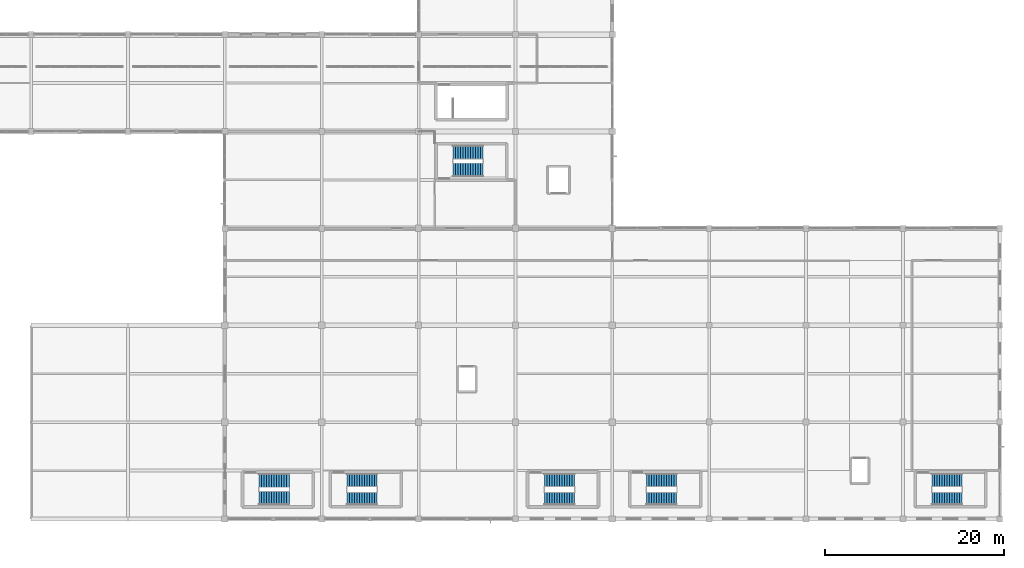
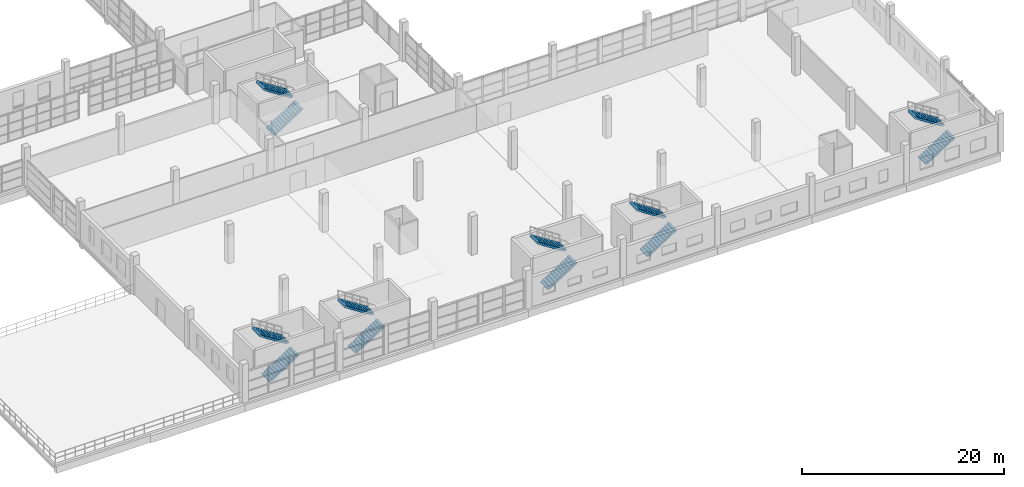
# One storey, part 120 of 142: 12 stair flights, 6 elements without a shape of their own.
"""IFC4 building model written with IfcOpenShell, lengths in metres."""

from ifc_helpers import new_model, si_unit, direction, frame, origin, place, context, subcontext, project, spatial, polyline, outline, extrude, material, type_object, element, aggregate, save


model = new_model("IFC4")

# Units and contexts
model_context = context("Model", 3, precision=1e-05, world=origin(), true_north=direction((0.0, 1.0)))
body_context = subcontext(model_context, "Body", "Model", "MODEL_VIEW")
ifc_project = project(units=[si_unit("LENGTHUNIT", "METRE"), si_unit("AREAUNIT", "SQUARE_METRE"), si_unit("VOLUMEUNIT", "CUBIC_METRE"), si_unit("PLANEANGLEUNIT", "RADIAN"), si_unit("MASSUNIT", "GRAM", prefix="KILO")], contexts=[model_context])

# Site, building, storey
site_placement = place(None, origin())
site = spatial("IfcSite", under=ifc_project, at=site_placement, CompositionType="ELEMENT")
building_placement = place(site_placement, origin())
building = spatial("IfcBuilding", under=site, at=building_placement, Name="Zwinboog Wholesale Market", CompositionType="ELEMENT")
storey_placement = place(building_placement, frame((0.0, 0.0, 5.39990234375)))
storey = spatial("IfcBuildingStorey", under=building, at=storey_placement, Name="L01", CompositionType="ELEMENT", Elevation=5.39990234375)

# Stair, stair flights
ifc_material = material(Name="Concrete C40/50", Category="concrete")
stair_type_1 = type_object("IfcStairType", Name="STT-DOG-145", PredefinedType="HALF_TURN_STAIR", material=ifc_material)
stair_1_placement = place(storey_placement, origin())
stair_1 = element("IfcStair", 1, at=stair_1_placement, inside=storey, type_object=stair_type_1, Name="Enclosed Escape Stair ST-08B", PredefinedType="HALF_TURN_STAIR")
stair_flight_type_1 = type_object("IfcStairFlightType", Name="SFT-145", PredefinedType="STRAIGHT", material=ifc_material)
stair_flight_1_placement = place(storey_placement, frame((208.419921875, 2.280029296875, 0.0), z_axis=(0.0, 0.0, 1.0), x_axis=(1.0, 0.0, 0.0)))
stair_flight_1 = element("IfcStairFlight", 2, at=stair_flight_1_placement, type_object=stair_flight_type_1, Name="ST-08B flight 1", NumberOfRisers=13, NumberOfTreads=12, PredefinedType="STRAIGHT", RiserHeight=0.18, TreadLength=0.28, context=body_context, shape_type="SweptSolid", body=[
    extrude(outline(polyline([(0.0, 0.0), (0.0, 0.179931640625), (0.280029296875, 0.179931640625), (0.280029296875, 0.360107421875), (0.56005859375, 0.360107421875), (0.56005859375, 0.5400390625), (0.840087890625, 0.5400390625), (0.840087890625, 0.719970703125), (1.1201171875, 0.719970703125), (1.1201171875, 0.89990234375), (1.39990234375, 0.89990234375), (1.39990234375, 1.080078125), (1.679931640625, 1.080078125), (1.679931640625, 1.260009765625), (1.9599609375, 1.260009765625), (1.9599609375, 1.43994140625), (2.239990234375, 1.43994140625), (2.239990234375, 1.6201171875), (2.52001953125, 1.6201171875), (2.52001953125, 1.800048828125), (2.800048828125, 1.800048828125), (2.800048828125, 1.97998046875), (3.080078125, 1.97998046875), (3.080078125, 2.159912109375), (3.360107421875, 2.159912109375), (3.360107421875, 2.340087890625), (3.360107421875, 1.946044921875), (0.332763671875, 0.0), (0.0, 0.0)])), frame((0.0, 0.719970703125, 0.0), z_axis=(0.0, -1.0, 0.0), x_axis=(1.0, 0.0, 0.0)), (0.0, 0.0, 1.0), 1.43994140625),
])
stair_flight_2_placement = place(storey_placement, frame((211.780029296875, 4.320068359375, 2.340087890625), z_axis=(0.0, 0.0, 1.0), x_axis=(-1.0, 0.0, 0.0)))
stair_flight_2 = element("IfcStairFlight", 3, at=stair_flight_2_placement, type_object=stair_flight_type_1, Name="ST-08B flight 2", NumberOfRisers=13, NumberOfTreads=12, PredefinedType="STRAIGHT", RiserHeight=0.18, TreadLength=0.28, context=body_context, shape_type="SweptSolid", body=[
    extrude(outline(polyline([(0.0, 0.0), (0.0, 0.179931640625), (0.280029296875, 0.179931640625), (0.280029296875, 0.360107421875), (0.56005859375, 0.360107421875), (0.56005859375, 0.5400390625), (0.840087890625, 0.5400390625), (0.840087890625, 0.719970703125), (1.1201171875, 0.719970703125), (1.1201171875, 0.89990234375), (1.39990234375, 0.89990234375), (1.39990234375, 1.080078125), (1.679931640625, 1.080078125), (1.679931640625, 1.260009765625), (1.9599609375, 1.260009765625), (1.9599609375, 1.43994140625), (2.239990234375, 1.43994140625), (2.239990234375, 1.6201171875), (2.52001953125, 1.6201171875), (2.52001953125, 1.800048828125), (2.800048828125, 1.800048828125), (2.800048828125, 1.97998046875), (3.080078125, 1.97998046875), (3.080078125, 2.159912109375), (3.360107421875, 2.159912109375), (3.360107421875, 2.340087890625), (3.360107421875, 1.946044921875), (0.332763671875, 0.0), (0.0, 0.0)])), frame((0.0, 0.719970703125, 0.0), z_axis=(0.0, -1.0, 0.0), x_axis=(1.0, 0.0, 0.0)), (0.0, 0.0, 1.0), 1.43994140625),
])
aggregate(stair_1, [stair_flight_1, stair_flight_2])

stair_2_placement = place(storey_placement, origin())
stair_2 = element("IfcStair", 4, at=stair_2_placement, inside=storey, type_object=stair_type_1, Name="Enclosed Escape Stair ST-09B", PredefinedType="HALF_TURN_STAIR")
stair_flight_3_placement = place(storey_placement, frame((176.6201171875, 2.280029296875, 0.0), z_axis=(0.0, 0.0, 1.0), x_axis=(1.0, 0.0, 0.0)))
stair_flight_3 = element("IfcStairFlight", 5, at=stair_flight_3_placement, type_object=stair_flight_type_1, Name="ST-09B flight 1", NumberOfRisers=13, NumberOfTreads=12, PredefinedType="STRAIGHT", RiserHeight=0.18, TreadLength=0.28, context=body_context, shape_type="SweptSolid", body=[
    extrude(outline(polyline([(0.0, 0.0), (0.0, 0.179931640625), (0.280029296875, 0.179931640625), (0.280029296875, 0.360107421875), (0.56005859375, 0.360107421875), (0.56005859375, 0.5400390625), (0.840087890625, 0.5400390625), (0.840087890625, 0.719970703125), (1.1201171875, 0.719970703125), (1.1201171875, 0.89990234375), (1.39990234375, 0.89990234375), (1.39990234375, 1.080078125), (1.679931640625, 1.080078125), (1.679931640625, 1.260009765625), (1.9599609375, 1.260009765625), (1.9599609375, 1.43994140625), (2.239990234375, 1.43994140625), (2.239990234375, 1.6201171875), (2.52001953125, 1.6201171875), (2.52001953125, 1.800048828125), (2.800048828125, 1.800048828125), (2.800048828125, 1.97998046875), (3.080078125, 1.97998046875), (3.080078125, 2.159912109375), (3.360107421875, 2.159912109375), (3.360107421875, 2.340087890625), (3.360107421875, 1.946044921875), (0.332763671875, 0.0), (0.0, 0.0)])), frame((0.0, 0.719970703125, 0.0), z_axis=(0.0, -1.0, 0.0), x_axis=(1.0, 0.0, 0.0)), (0.0, 0.0, 1.0), 1.43994140625),
])
stair_flight_4_placement = place(storey_placement, frame((179.97998046875, 4.320068359375, 2.340087890625), z_axis=(0.0, 0.0, 1.0), x_axis=(-1.0, 0.0, 0.0)))
stair_flight_4 = element("IfcStairFlight", 6, at=stair_flight_4_placement, type_object=stair_flight_type_1, Name="ST-09B flight 2", NumberOfRisers=13, NumberOfTreads=12, PredefinedType="STRAIGHT", RiserHeight=0.18, TreadLength=0.28, context=body_context, shape_type="SweptSolid", body=[
    extrude(outline(polyline([(0.0, 0.0), (0.0, 0.179931640625), (0.280029296875, 0.179931640625), (0.280029296875, 0.360107421875), (0.56005859375, 0.360107421875), (0.56005859375, 0.5400390625), (0.840087890625, 0.5400390625), (0.840087890625, 0.719970703125), (1.1201171875, 0.719970703125), (1.1201171875, 0.89990234375), (1.39990234375, 0.89990234375), (1.39990234375, 1.080078125), (1.679931640625, 1.080078125), (1.679931640625, 1.260009765625), (1.9599609375, 1.260009765625), (1.9599609375, 1.43994140625), (2.239990234375, 1.43994140625), (2.239990234375, 1.6201171875), (2.52001953125, 1.6201171875), (2.52001953125, 1.800048828125), (2.800048828125, 1.800048828125), (2.800048828125, 1.97998046875), (3.080078125, 1.97998046875), (3.080078125, 2.159912109375), (3.360107421875, 2.159912109375), (3.360107421875, 2.340087890625), (3.360107421875, 1.946044921875), (0.332763671875, 0.0), (0.0, 0.0)])), frame((0.0, 0.719970703125, 0.0), z_axis=(0.0, -1.0, 0.0), x_axis=(1.0, 0.0, 0.0)), (0.0, 0.0, 1.0), 1.43994140625),
])
aggregate(stair_2, [stair_flight_3, stair_flight_4])

stair_3_placement = place(storey_placement, origin())
stair_3 = element("IfcStair", 7, at=stair_3_placement, inside=storey, type_object=stair_type_1, Name="Enclosed Escape Stair ST-11B", PredefinedType="HALF_TURN_STAIR")
stair_flight_5_placement = place(storey_placement, frame((165.219970703125, 2.280029296875, 0.0), z_axis=(0.0, 0.0, 1.0), x_axis=(1.0, 0.0, 0.0)))
stair_flight_5 = element("IfcStairFlight", 8, at=stair_flight_5_placement, type_object=stair_flight_type_1, Name="ST-11B flight 1", NumberOfRisers=13, NumberOfTreads=12, PredefinedType="STRAIGHT", RiserHeight=0.18, TreadLength=0.28, context=body_context, shape_type="SweptSolid", body=[
    extrude(outline(polyline([(0.0, 0.0), (0.0, 0.179931640625), (0.280029296875, 0.179931640625), (0.280029296875, 0.360107421875), (0.56005859375, 0.360107421875), (0.56005859375, 0.5400390625), (0.840087890625, 0.5400390625), (0.840087890625, 0.719970703125), (1.1201171875, 0.719970703125), (1.1201171875, 0.89990234375), (1.39990234375, 0.89990234375), (1.39990234375, 1.080078125), (1.679931640625, 1.080078125), (1.679931640625, 1.260009765625), (1.9599609375, 1.260009765625), (1.9599609375, 1.43994140625), (2.239990234375, 1.43994140625), (2.239990234375, 1.6201171875), (2.52001953125, 1.6201171875), (2.52001953125, 1.800048828125), (2.800048828125, 1.800048828125), (2.800048828125, 1.97998046875), (3.080078125, 1.97998046875), (3.080078125, 2.159912109375), (3.360107421875, 2.159912109375), (3.360107421875, 2.340087890625), (3.360107421875, 1.946044921875), (0.332763671875, 0.0), (0.0, 0.0)])), frame((0.0, 0.719970703125, 0.0), z_axis=(0.0, -1.0, 0.0), x_axis=(1.0, 0.0, 0.0)), (0.0, 0.0, 1.0), 1.43994140625),
])
stair_flight_6_placement = place(storey_placement, frame((168.580078125, 4.320068359375, 2.340087890625), z_axis=(0.0, 0.0, 1.0), x_axis=(-1.0, 0.0, 0.0)))
stair_flight_6 = element("IfcStairFlight", 9, at=stair_flight_6_placement, type_object=stair_flight_type_1, Name="ST-11B flight 2", NumberOfRisers=13, NumberOfTreads=12, PredefinedType="STRAIGHT", RiserHeight=0.18, TreadLength=0.28, context=body_context, shape_type="SweptSolid", body=[
    extrude(outline(polyline([(0.0, 0.0), (0.0, 0.179931640625), (0.280029296875, 0.179931640625), (0.280029296875, 0.360107421875), (0.56005859375, 0.360107421875), (0.56005859375, 0.5400390625), (0.840087890625, 0.5400390625), (0.840087890625, 0.719970703125), (1.1201171875, 0.719970703125), (1.1201171875, 0.89990234375), (1.39990234375, 0.89990234375), (1.39990234375, 1.080078125), (1.679931640625, 1.080078125), (1.679931640625, 1.260009765625), (1.9599609375, 1.260009765625), (1.9599609375, 1.43994140625), (2.239990234375, 1.43994140625), (2.239990234375, 1.6201171875), (2.52001953125, 1.6201171875), (2.52001953125, 1.800048828125), (2.800048828125, 1.800048828125), (2.800048828125, 1.97998046875), (3.080078125, 1.97998046875), (3.080078125, 2.159912109375), (3.360107421875, 2.159912109375), (3.360107421875, 2.340087890625), (3.360107421875, 1.946044921875), (0.332763671875, 0.0), (0.0, 0.0)])), frame((0.0, 0.719970703125, 0.0), z_axis=(0.0, -1.0, 0.0), x_axis=(1.0, 0.0, 0.0)), (0.0, 0.0, 1.0), 1.43994140625),
])
aggregate(stair_3, [stair_flight_5, stair_flight_6])

stair_4_placement = place(storey_placement, origin())
stair_4 = element("IfcStair", 10, at=stair_4_placement, inside=storey, type_object=stair_type_1, Name="Enclosed Escape Stair ST-13B", PredefinedType="HALF_TURN_STAIR")
stair_flight_7_placement = place(storey_placement, frame((143.219970703125, 2.280029296875, 0.0), z_axis=(0.0, 0.0, 1.0), x_axis=(1.0, 0.0, 0.0)))
stair_flight_7 = element("IfcStairFlight", 11, at=stair_flight_7_placement, type_object=stair_flight_type_1, Name="ST-13B flight 1", NumberOfRisers=13, NumberOfTreads=12, PredefinedType="STRAIGHT", RiserHeight=0.18, TreadLength=0.28, context=body_context, shape_type="SweptSolid", body=[
    extrude(outline(polyline([(0.0, 0.0), (0.0, 0.179931640625), (0.280029296875, 0.179931640625), (0.280029296875, 0.360107421875), (0.56005859375, 0.360107421875), (0.56005859375, 0.5400390625), (0.840087890625, 0.5400390625), (0.840087890625, 0.719970703125), (1.1201171875, 0.719970703125), (1.1201171875, 0.89990234375), (1.39990234375, 0.89990234375), (1.39990234375, 1.080078125), (1.679931640625, 1.080078125), (1.679931640625, 1.260009765625), (1.9599609375, 1.260009765625), (1.9599609375, 1.43994140625), (2.239990234375, 1.43994140625), (2.239990234375, 1.6201171875), (2.52001953125, 1.6201171875), (2.52001953125, 1.800048828125), (2.800048828125, 1.800048828125), (2.800048828125, 1.97998046875), (3.080078125, 1.97998046875), (3.080078125, 2.159912109375), (3.360107421875, 2.159912109375), (3.360107421875, 2.340087890625), (3.360107421875, 1.946044921875), (0.332763671875, 0.0), (0.0, 0.0)])), frame((0.0, 0.719970703125, 0.0), z_axis=(0.0, -1.0, 0.0), x_axis=(1.0, 0.0, 0.0)), (0.0, 0.0, 1.0), 1.43994140625),
])
stair_flight_8_placement = place(storey_placement, frame((146.580078125, 4.320068359375, 2.340087890625), z_axis=(0.0, 0.0, 1.0), x_axis=(-1.0, 0.0, 0.0)))
stair_flight_8 = element("IfcStairFlight", 12, at=stair_flight_8_placement, type_object=stair_flight_type_1, Name="ST-13B flight 2", NumberOfRisers=13, NumberOfTreads=12, PredefinedType="STRAIGHT", RiserHeight=0.18, TreadLength=0.28, context=body_context, shape_type="SweptSolid", body=[
    extrude(outline(polyline([(0.0, 0.0), (0.0, 0.179931640625), (0.280029296875, 0.179931640625), (0.280029296875, 0.360107421875), (0.56005859375, 0.360107421875), (0.56005859375, 0.5400390625), (0.840087890625, 0.5400390625), (0.840087890625, 0.719970703125), (1.1201171875, 0.719970703125), (1.1201171875, 0.89990234375), (1.39990234375, 0.89990234375), (1.39990234375, 1.080078125), (1.679931640625, 1.080078125), (1.679931640625, 1.260009765625), (1.9599609375, 1.260009765625), (1.9599609375, 1.43994140625), (2.239990234375, 1.43994140625), (2.239990234375, 1.6201171875), (2.52001953125, 1.6201171875), (2.52001953125, 1.800048828125), (2.800048828125, 1.800048828125), (2.800048828125, 1.97998046875), (3.080078125, 1.97998046875), (3.080078125, 2.159912109375), (3.360107421875, 2.159912109375), (3.360107421875, 2.340087890625), (3.360107421875, 1.946044921875), (0.332763671875, 0.0), (0.0, 0.0)])), frame((0.0, 0.719970703125, 0.0), z_axis=(0.0, -1.0, 0.0), x_axis=(1.0, 0.0, 0.0)), (0.0, 0.0, 1.0), 1.43994140625),
])
aggregate(stair_4, [stair_flight_7, stair_flight_8])

stair_type_2 = type_object("IfcStairType", Name="STT-DOG-160", PredefinedType="HALF_TURN_STAIR", material=ifc_material)
stair_5_placement = place(storey_placement, origin())
stair_5 = element("IfcStair", 13, at=stair_5_placement, inside=storey, type_object=stair_type_2, Name="Enclosed Escape Stair ST-10B", PredefinedType="HALF_TURN_STAIR")
stair_flight_type_2 = type_object("IfcStairFlightType", Name="SFT-160", PredefinedType="STRAIGHT", material=ifc_material)
stair_flight_9_placement = place(storey_placement, frame((133.419921875, 2.330078125, 0.0), z_axis=(0.0, 0.0, 1.0), x_axis=(1.0, 0.0, 0.0)))
stair_flight_9 = element("IfcStairFlight", 14, at=stair_flight_9_placement, type_object=stair_flight_type_2, Name="ST-10B flight 1", NumberOfRisers=13, NumberOfTreads=12, PredefinedType="STRAIGHT", RiserHeight=0.18, TreadLength=0.28, context=body_context, shape_type="SweptSolid", body=[
    extrude(outline(polyline([(0.0, 0.0), (0.0, 0.179931640625), (0.280029296875, 0.179931640625), (0.280029296875, 0.360107421875), (0.56005859375, 0.360107421875), (0.56005859375, 0.5400390625), (0.840087890625, 0.5400390625), (0.840087890625, 0.719970703125), (1.1201171875, 0.719970703125), (1.1201171875, 0.89990234375), (1.39990234375, 0.89990234375), (1.39990234375, 1.080078125), (1.679931640625, 1.080078125), (1.679931640625, 1.260009765625), (1.9599609375, 1.260009765625), (1.9599609375, 1.43994140625), (2.239990234375, 1.43994140625), (2.239990234375, 1.6201171875), (2.52001953125, 1.6201171875), (2.52001953125, 1.800048828125), (2.800048828125, 1.800048828125), (2.800048828125, 1.97998046875), (3.080078125, 1.97998046875), (3.080078125, 2.159912109375), (3.360107421875, 2.159912109375), (3.360107421875, 2.340087890625), (3.360107421875, 1.946044921875), (0.332763671875, 0.0), (0.0, 0.0)])), frame((0.0, 0.77001953125, 0.0), z_axis=(0.0, -1.0, 0.0), x_axis=(1.0, 0.0, 0.0)), (0.0, 0.0, 1.0), 1.5400390625),
])
stair_flight_10_placement = place(storey_placement, frame((136.780029296875, 4.27001953125, 2.340087890625), z_axis=(0.0, 0.0, 1.0), x_axis=(-1.0, 0.0, 0.0)))
stair_flight_10 = element("IfcStairFlight", 15, at=stair_flight_10_placement, type_object=stair_flight_type_2, Name="ST-10B flight 2", NumberOfRisers=13, NumberOfTreads=12, PredefinedType="STRAIGHT", RiserHeight=0.18, TreadLength=0.28, context=body_context, shape_type="SweptSolid", body=[
    extrude(outline(polyline([(0.0, 0.0), (0.0, 0.179931640625), (0.280029296875, 0.179931640625), (0.280029296875, 0.360107421875), (0.56005859375, 0.360107421875), (0.56005859375, 0.5400390625), (0.840087890625, 0.5400390625), (0.840087890625, 0.719970703125), (1.1201171875, 0.719970703125), (1.1201171875, 0.89990234375), (1.39990234375, 0.89990234375), (1.39990234375, 1.080078125), (1.679931640625, 1.080078125), (1.679931640625, 1.260009765625), (1.9599609375, 1.260009765625), (1.9599609375, 1.43994140625), (2.239990234375, 1.43994140625), (2.239990234375, 1.6201171875), (2.52001953125, 1.6201171875), (2.52001953125, 1.800048828125), (2.800048828125, 1.800048828125), (2.800048828125, 1.97998046875), (3.080078125, 1.97998046875), (3.080078125, 2.159912109375), (3.360107421875, 2.159912109375), (3.360107421875, 2.340087890625), (3.360107421875, 1.946044921875), (0.332763671875, 0.0), (0.0, 0.0)])), frame((0.0, 0.77001953125, 0.0), z_axis=(0.0, -1.0, 0.0), x_axis=(1.0, 0.0, 0.0)), (0.0, 0.0, 1.0), 1.5400390625),
])
aggregate(stair_5, [stair_flight_9, stair_flight_10])

stair_6_placement = place(storey_placement, origin())
stair_6 = element("IfcStair", 16, at=stair_6_placement, inside=storey, type_object=stair_type_2, Name="Enclosed Escape Stair ST-12B", PredefinedType="HALF_TURN_STAIR")
stair_flight_11_placement = place(storey_placement, frame((155.02001953125, 38.929931640625, 0.0), z_axis=(0.0, 0.0, 1.0), x_axis=(1.0, 0.0, 0.0)))
stair_flight_11 = element("IfcStairFlight", 17, at=stair_flight_11_placement, type_object=stair_flight_type_2, Name="ST-12B flight 1", NumberOfRisers=13, NumberOfTreads=12, PredefinedType="STRAIGHT", RiserHeight=0.18, TreadLength=0.28, context=body_context, shape_type="SweptSolid", body=[
    extrude(outline(polyline([(0.0, 0.0), (0.0, 0.179931640625), (0.280029296875, 0.179931640625), (0.280029296875, 0.360107421875), (0.56005859375, 0.360107421875), (0.56005859375, 0.5400390625), (0.840087890625, 0.5400390625), (0.840087890625, 0.719970703125), (1.1201171875, 0.719970703125), (1.1201171875, 0.89990234375), (1.39990234375, 0.89990234375), (1.39990234375, 1.080078125), (1.679931640625, 1.080078125), (1.679931640625, 1.260009765625), (1.9599609375, 1.260009765625), (1.9599609375, 1.43994140625), (2.239990234375, 1.43994140625), (2.239990234375, 1.6201171875), (2.52001953125, 1.6201171875), (2.52001953125, 1.800048828125), (2.800048828125, 1.800048828125), (2.800048828125, 1.97998046875), (3.080078125, 1.97998046875), (3.080078125, 2.159912109375), (3.360107421875, 2.159912109375), (3.360107421875, 2.340087890625), (3.360107421875, 1.946044921875), (0.332763671875, 0.0), (0.0, 0.0)])), frame((0.0, 0.77001953125, 0.0), z_axis=(0.0, -1.0, 0.0), x_axis=(1.0, 0.0, 0.0)), (0.0, 0.0, 1.0), 1.5400390625),
])
stair_flight_12_placement = place(storey_placement, frame((158.3798828125, 40.8701171875, 2.340087890625), z_axis=(0.0, 0.0, 1.0), x_axis=(-1.0, 0.0, 0.0)))
stair_flight_12 = element("IfcStairFlight", 18, at=stair_flight_12_placement, type_object=stair_flight_type_2, Name="ST-12B flight 2", NumberOfRisers=13, NumberOfTreads=12, PredefinedType="STRAIGHT", RiserHeight=0.18, TreadLength=0.28, context=body_context, shape_type="SweptSolid", body=[
    extrude(outline(polyline([(0.0, 0.0), (0.0, 0.179931640625), (0.280029296875, 0.179931640625), (0.280029296875, 0.360107421875), (0.56005859375, 0.360107421875), (0.56005859375, 0.5400390625), (0.840087890625, 0.5400390625), (0.840087890625, 0.719970703125), (1.1201171875, 0.719970703125), (1.1201171875, 0.89990234375), (1.39990234375, 0.89990234375), (1.39990234375, 1.080078125), (1.679931640625, 1.080078125), (1.679931640625, 1.260009765625), (1.9599609375, 1.260009765625), (1.9599609375, 1.43994140625), (2.239990234375, 1.43994140625), (2.239990234375, 1.6201171875), (2.52001953125, 1.6201171875), (2.52001953125, 1.800048828125), (2.800048828125, 1.800048828125), (2.800048828125, 1.97998046875), (3.080078125, 1.97998046875), (3.080078125, 2.159912109375), (3.360107421875, 2.159912109375), (3.360107421875, 2.340087890625), (3.360107421875, 1.946044921875), (0.332763671875, 0.0), (0.0, 0.0)])), frame((0.0, 0.77001953125, 0.0), z_axis=(0.0, -1.0, 0.0), x_axis=(1.0, 0.0, 0.0)), (0.0, 0.0, 1.0), 1.5400390625),
])
aggregate(stair_6, [stair_flight_11, stair_flight_12])

save(model, "model.ifc")
